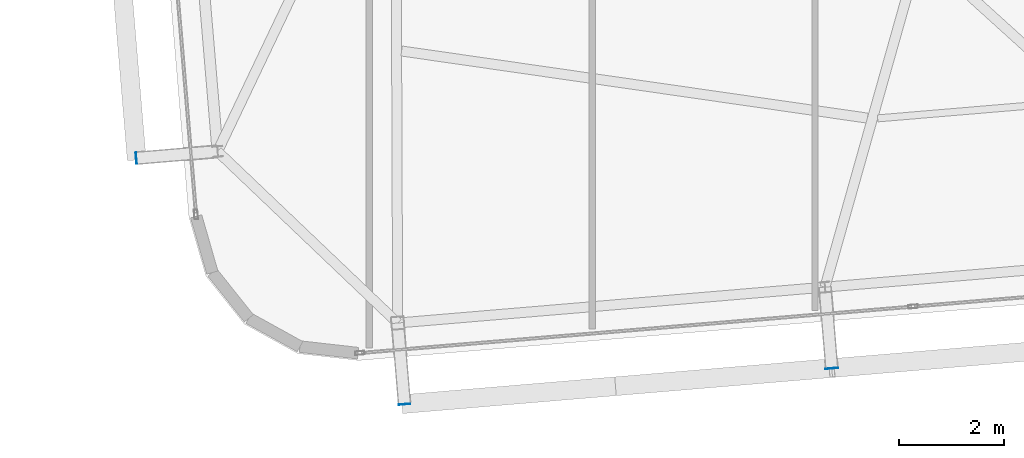
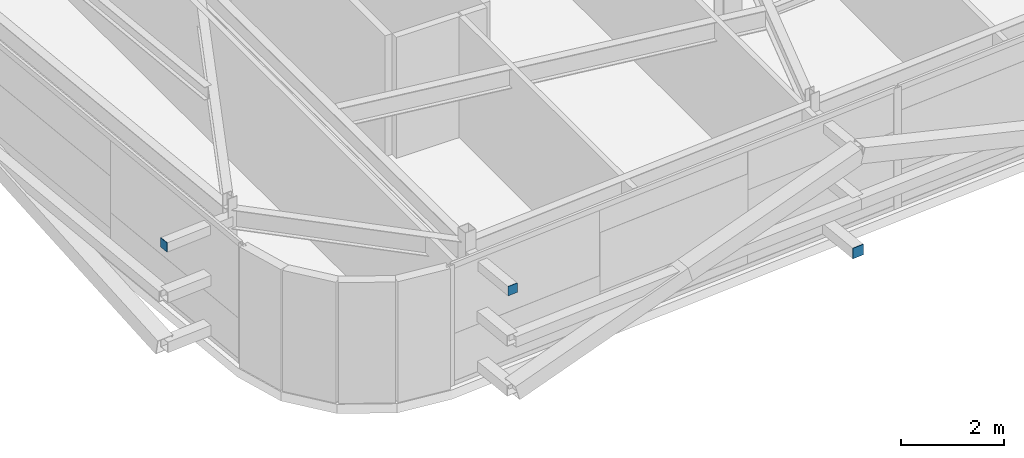
# One storey, part 27 of 39: 3 plates.
"""IFC4 building model written with IfcOpenShell, lengths in metres."""

from ifc_helpers import new_model, si_unit, direction, frame, origin, origin_2d, place, context, subcontext, project, spatial, rectangle, extrude, source, transform, mapped, material, layer, layer_set, type_object, element, save


model = new_model("IFC4")

# Units and contexts
model_context = context("Model", 3, precision=1e-05, world=origin(), true_north=direction((0.0, 1.0)))
body_context = subcontext(model_context, "Body", "Model", "MODEL_VIEW")
ifc_project = project(units=[si_unit("LENGTHUNIT", "METRE"), si_unit("AREAUNIT", "SQUARE_METRE"), si_unit("VOLUMEUNIT", "CUBIC_METRE"), si_unit("PLANEANGLEUNIT", "RADIAN"), si_unit("MASSUNIT", "GRAM", prefix="KILO")], contexts=[model_context])

# Site, building, storey
site_placement = place(None, origin())
site = spatial("IfcSite", under=ifc_project, at=site_placement, CompositionType="ELEMENT")
building_placement = place(site_placement, origin())
building = spatial("IfcBuilding", under=site, at=building_placement, Name="Taldren Reach Tower", CompositionType="ELEMENT")
storey_placement = place(building_placement, frame((0.0, 0.0, 204.050048828125)))
storey = spatial("IfcBuildingStorey", under=building, at=storey_placement, Name="L62", CompositionType="ELEMENT", Elevation=204.050048828125)

# Plates
ifc_material_1 = material(Name="Steel Gr 350 (C350L0)", Category="steel")
ifc_layer_1 = layer(ifc_material_1, 0.011962890625)
ifc_layer_set_1 = layer_set([ifc_layer_1], Name="Steel Gr 350 (C350L0)")
plate_type_1 = type_object("IfcPlateType", Name="PL-CAP-250", PredefinedType="SHEET", material=ifc_layer_set_1)
shared_shape_1 = source(origin(), body_context, "Body", "SweptSolid", [
    extrude(rectangle(XDim=0.25, YDim=0.011962890625, at=origin_2d()), origin(), (0.0, 0.0, 1.0), 0.25),
])
plate_1_placement = place(storey_placement, frame((26.321044921875, 1.22802734375, 0.094970703125), z_axis=(0.0, 0.0, 1.0), x_axis=(0.99649285925, 0.083677843332, 0.0)))
element("IfcPlate", 1, at=plate_1_placement, inside=storey, type_object=plate_type_1, Name="Tie strut end cap plate B4-S2 L62", PredefinedType="SHEET", context=body_context, shape_type="MappedRepresentation", body=[
    mapped(shared_shape_1, transform((0.0, 0.0, 0.0), scale=1.0)),
])
ifc_material_2 = material(Name="Steel Gr 450 (C450L0)", Category="steel")
ifc_layer_2 = layer(ifc_material_2, 0.011962890625)
ifc_layer_set_2 = layer_set([ifc_layer_2], Name="Steel Gr 450 (C450L0)")
plate_type_2 = type_object("IfcPlateType", Name="PL-CAP-220", PredefinedType="SHEET", material=ifc_layer_set_2)
shared_shape_2 = source(origin(), body_context, "Body", "SweptSolid", [
    extrude(rectangle(XDim=0.219970703125, YDim=0.011962890625, at=origin_2d()), origin(), (0.0, 0.0, 1.0), 0.219970703125),
])
plate_2_placement = place(storey_placement, frame((18.169921875, 0.54345703125, 2.47998046875), z_axis=(0.0, 0.0, 1.0), x_axis=(0.99649285925, 0.083677843332, 0.0)))
element("IfcPlate", 2, at=plate_2_placement, inside=storey, type_object=plate_type_2, Name="Tie strut end cap plate B4-S1 L62", PredefinedType="SHEET", context=body_context, shape_type="MappedRepresentation", body=[
    mapped(shared_shape_2, transform((0.0, 0.0, 0.0), scale=1.0)),
])
shared_shape_3 = source(origin(), body_context, "Body", "SweptSolid", [
    extrude(rectangle(XDim=0.011962890625, YDim=0.219970703125, at=origin_2d()), origin(), (0.0, 0.0, 1.0), 0.219970703125),
])
plate_3_placement = place(storey_placement, frame((13.052978515625, 5.23779296875, 2.47998046875), z_axis=(0.0, 0.0, 1.0), x_axis=(0.99649285925, 0.083677843332, 0.0)))
element("IfcPlate", 3, at=plate_3_placement, inside=storey, type_object=plate_type_2, Name="Tie strut end cap plate B4-W1 L62", PredefinedType="SHEET", context=body_context, shape_type="MappedRepresentation", body=[
    mapped(shared_shape_3, transform((0.0, 0.0, 0.0), scale=1.0)),
])

save(model, "model.ifc")
